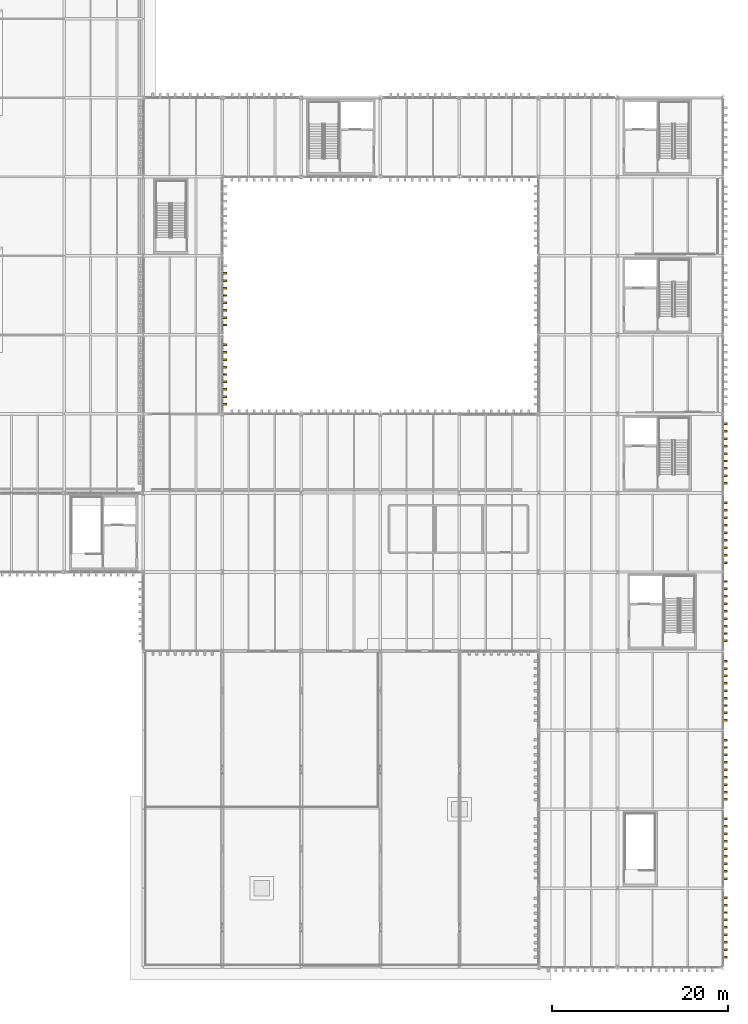
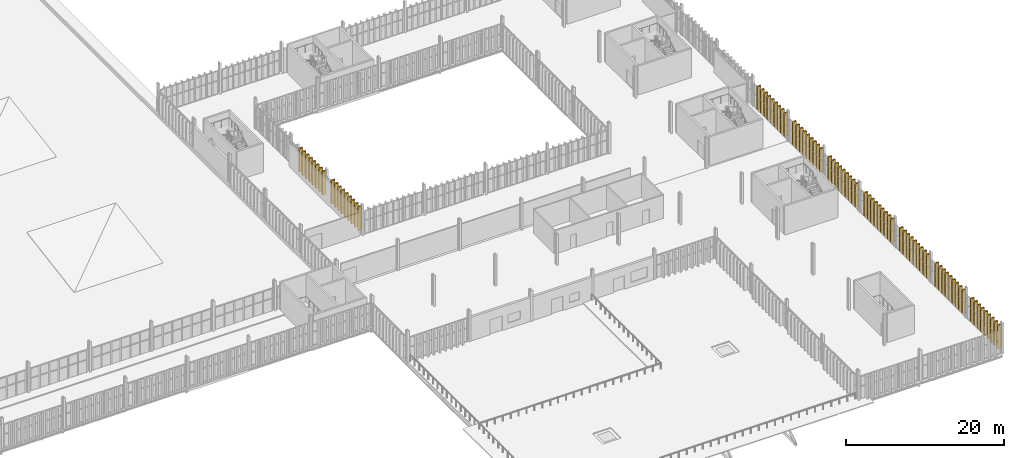
# One storey, part 191 of 196: 80 shading devices.
"""IFC4 building model written with IfcOpenShell, lengths in metres."""

from ifc_helpers import new_model, si_unit, direction, frame, origin, origin_2d, place, context, subcontext, project, spatial, rectangle, extrude, material, type_object, element, save


model = new_model("IFC4")

# Units and contexts
model_context = context("Model", 3, precision=1e-05, world=origin(), true_north=direction((0.0, 1.0)))
body_context = subcontext(model_context, "Body", "Model", "MODEL_VIEW")
ifc_project = project(units=[si_unit("LENGTHUNIT", "METRE"), si_unit("AREAUNIT", "SQUARE_METRE"), si_unit("VOLUMEUNIT", "CUBIC_METRE"), si_unit("PLANEANGLEUNIT", "RADIAN"), si_unit("MASSUNIT", "GRAM", prefix="KILO")], contexts=[model_context])

# Site, building, storey
site_placement = place(None, origin())
site = spatial("IfcSite", under=ifc_project, at=site_placement, CompositionType="ELEMENT")
building_placement = place(site_placement, origin())
building = spatial("IfcBuilding", under=site, at=building_placement, Name="Barlavento Convention Centre", CompositionType="ELEMENT")
storey_placement = place(building_placement, frame((0.0, 0.0, 18.0)))
storey = spatial("IfcBuildingStorey", under=building, at=storey_placement, Name="L03", CompositionType="ELEMENT", Elevation=18.0)

# Shading devices
ifc_material = material(Name="PVDF white extruded aluminium", Category="aluminium")
shading_device_type = type_object("IfcShadingDeviceType", Name="ARC-SHD-FIN-480", PredefinedType="USERDEFINED", material=ifc_material)
for number, where, z_axis, x_axis, name in (
    (1, (192.239990234375, 1.156005859375, 0.0), (0.0, 0.0, 1.0), (0.0, 1.0, 0.0), "White vertical solar shading fin VF01"),
    (2, (192.239990234375, 2.001953125, 0.0), (0.0, 0.0, 1.0), (0.0, 1.0, 0.0), "White vertical solar shading fin VF01"),
    (3, (192.239990234375, 2.847900390625, 0.0), (0.0, 0.0, 1.0), (0.0, 1.0, 0.0), "White vertical solar shading fin VF01"),
    (4, (192.239990234375, 3.694091796875, 0.0), (0.0, 0.0, 1.0), (0.0, 1.0, 0.0), "White vertical solar shading fin VF01"),
    (5, (192.239990234375, 4.5400390625, 0.0), (0.0, 0.0, 1.0), (0.0, 1.0, 0.0), "White vertical solar shading fin VF01"),
    (6, (192.239990234375, 5.385986328125, 0.0), (0.0, 0.0, 1.0), (0.0, 1.0, 0.0), "White vertical solar shading fin VF01"),
    (7, (192.239990234375, 6.23193359375, 0.0), (0.0, 0.0, 1.0), (0.0, 1.0, 0.0), "White vertical solar shading fin VF01"),
    (8, (192.239990234375, 7.077880859375, 0.0), (0.0, 0.0, 1.0), (0.0, 1.0, 0.0), "White vertical solar shading fin VF01"),
    (9, (192.239990234375, 7.924072265625, 0.0), (0.0, 0.0, 1.0), (0.0, 1.0, 0.0), "White vertical solar shading fin VF01"),
    (10, (192.239990234375, 10.0810546875, 0.0), (0.0, 0.0, 1.0), (0.0, 1.0, 0.0), "White vertical solar shading fin VF01"),
    (11, (192.239990234375, 10.931884765625, 0.0), (0.0, 0.0, 1.0), (0.0, 1.0, 0.0), "White vertical solar shading fin VF01"),
    (12, (192.239990234375, 11.782958984375, 0.0), (0.0, 0.0, 1.0), (0.0, 1.0, 0.0), "White vertical solar shading fin VF01"),
    (13, (192.239990234375, 12.634033203125, 0.0), (0.0, 0.0, 1.0), (0.0, 1.0, 0.0), "White vertical solar shading fin VF01"),
    (14, (192.239990234375, 13.485107421875, 0.0), (0.0, 0.0, 1.0), (0.0, 1.0, 0.0), "White vertical solar shading fin VF01"),
    (15, (192.239990234375, 14.3359375, 0.0), (0.0, 0.0, 1.0), (0.0, 1.0, 0.0), "White vertical solar shading fin VF01"),
    (16, (192.239990234375, 15.18701171875, 0.0), (0.0, 0.0, 1.0), (0.0, 1.0, 0.0), "White vertical solar shading fin VF01"),
    (17, (192.239990234375, 16.0380859375, 0.0), (0.0, 0.0, 1.0), (0.0, 1.0, 0.0), "White vertical solar shading fin VF01"),
    (18, (192.239990234375, 16.888916015625, 0.0), (0.0, 0.0, 1.0), (0.0, 1.0, 0.0), "White vertical solar shading fin VF01"),
    (19, (192.239990234375, 19.10546875, 0.0), (0.0, 0.0, 1.0), (0.0, 1.0, 0.0), "White vertical solar shading fin VF01"),
    (20, (192.239990234375, 19.950927734375, 0.0), (0.0, 0.0, 1.0), (0.0, 1.0, 0.0), "White vertical solar shading fin VF01"),
    (21, (192.239990234375, 20.79638671875, 0.0), (0.0, 0.0, 1.0), (0.0, 1.0, 0.0), "White vertical solar shading fin VF01"),
    (22, (192.239990234375, 21.64208984375, 0.0), (0.0, 0.0, 1.0), (0.0, 1.0, 0.0), "White vertical solar shading fin VF01"),
    (23, (192.239990234375, 22.487548828125, 0.0), (0.0, 0.0, 1.0), (0.0, 1.0, 0.0), "White vertical solar shading fin VF01"),
    (24, (192.239990234375, 23.3330078125, 0.0), (0.0, 0.0, 1.0), (0.0, 1.0, 0.0), "White vertical solar shading fin VF01"),
    (25, (192.239990234375, 24.178466796875, 0.0), (0.0, 0.0, 1.0), (0.0, 1.0, 0.0), "White vertical solar shading fin VF01"),
    (26, (192.239990234375, 25.02392578125, 0.0), (0.0, 0.0, 1.0), (0.0, 1.0, 0.0), "White vertical solar shading fin VF01"),
    (27, (192.239990234375, 25.869384765625, 0.0), (0.0, 0.0, 1.0), (0.0, 1.0, 0.0), "White vertical solar shading fin VF01"),
    (28, (192.239990234375, 28.12548828125, 0.0), (0.0, 0.0, 1.0), (0.0, 1.0, 0.0), "White vertical solar shading fin VF01"),
    (29, (192.239990234375, 28.966064453125, 0.0), (0.0, 0.0, 1.0), (0.0, 1.0, 0.0), "White vertical solar shading fin VF01"),
    (30, (192.239990234375, 29.806396484375, 0.0), (0.0, 0.0, 1.0), (0.0, 1.0, 0.0), "White vertical solar shading fin VF01"),
    (31, (192.239990234375, 30.64697265625, 0.0), (0.0, 0.0, 1.0), (0.0, 1.0, 0.0), "White vertical solar shading fin VF01"),
    (32, (192.239990234375, 31.487548828125, 0.0), (0.0, 0.0, 1.0), (0.0, 1.0, 0.0), "White vertical solar shading fin VF01"),
    (33, (192.239990234375, 32.327880859375, 0.0), (0.0, 0.0, 1.0), (0.0, 1.0, 0.0), "White vertical solar shading fin VF01"),
    (34, (192.239990234375, 33.16845703125, 0.0), (0.0, 0.0, 1.0), (0.0, 1.0, 0.0), "White vertical solar shading fin VF01"),
    (35, (192.239990234375, 34.009033203125, 0.0), (0.0, 0.0, 1.0), (0.0, 1.0, 0.0), "White vertical solar shading fin VF01"),
    (36, (192.239990234375, 34.849609375, 0.0), (0.0, 0.0, 1.0), (0.0, 1.0, 0.0), "White vertical solar shading fin VF01"),
    (37, (192.239990234375, 37.156005859375, 0.0), (0.0, 0.0, 1.0), (0.0, 1.0, 0.0), "White vertical solar shading fin VF01"),
    (38, (192.239990234375, 38.001953125, 0.0), (0.0, 0.0, 1.0), (0.0, 1.0, 0.0), "White vertical solar shading fin VF01"),
    (39, (192.239990234375, 38.847900390625, 0.0), (0.0, 0.0, 1.0), (0.0, 1.0, 0.0), "White vertical solar shading fin VF01"),
    (40, (192.239990234375, 39.694091796875, 0.0), (0.0, 0.0, 1.0), (0.0, 1.0, 0.0), "White vertical solar shading fin VF01"),
    (41, (192.239990234375, 40.5400390625, 0.0), (0.0, 0.0, 1.0), (0.0, 1.0, 0.0), "White vertical solar shading fin VF01"),
    (42, (192.239990234375, 41.385986328125, 0.0), (0.0, 0.0, 1.0), (0.0, 1.0, 0.0), "White vertical solar shading fin VF01"),
    (43, (192.239990234375, 42.23193359375, 0.0), (0.0, 0.0, 1.0), (0.0, 1.0, 0.0), "White vertical solar shading fin VF01"),
    (44, (192.239990234375, 43.077880859375, 0.0), (0.0, 0.0, 1.0), (0.0, 1.0, 0.0), "White vertical solar shading fin VF01"),
    (45, (192.239990234375, 43.924072265625, 0.0), (0.0, 0.0, 1.0), (0.0, 1.0, 0.0), "White vertical solar shading fin VF01"),
    (46, (192.239990234375, 46.0810546875, 0.0), (0.0, 0.0, 1.0), (0.0, 1.0, 0.0), "White vertical solar shading fin VF01"),
    (47, (192.239990234375, 46.931884765625, 0.0), (0.0, 0.0, 1.0), (0.0, 1.0, 0.0), "White vertical solar shading fin VF01"),
    (48, (192.239990234375, 47.782958984375, 0.0), (0.0, 0.0, 1.0), (0.0, 1.0, 0.0), "White vertical solar shading fin VF01"),
    (49, (192.239990234375, 48.634033203125, 0.0), (0.0, 0.0, 1.0), (0.0, 1.0, 0.0), "White vertical solar shading fin VF01"),
    (50, (192.239990234375, 49.485107421875, 0.0), (0.0, 0.0, 1.0), (0.0, 1.0, 0.0), "White vertical solar shading fin VF01"),
    (51, (192.239990234375, 50.3359375, 0.0), (0.0, 0.0, 1.0), (0.0, 1.0, 0.0), "White vertical solar shading fin VF01"),
    (52, (192.239990234375, 51.18701171875, 0.0), (0.0, 0.0, 1.0), (0.0, 1.0, 0.0), "White vertical solar shading fin VF01"),
    (53, (192.239990234375, 52.0380859375, 0.0), (0.0, 0.0, 1.0), (0.0, 1.0, 0.0), "White vertical solar shading fin VF01"),
    (54, (192.239990234375, 52.888916015625, 0.0), (0.0, 0.0, 1.0), (0.0, 1.0, 0.0), "White vertical solar shading fin VF01"),
    (55, (192.239990234375, 55.10546875, 0.0), (0.0, 0.0, 1.0), (0.0, 1.0, 0.0), "White vertical solar shading fin VF01"),
    (56, (192.239990234375, 55.950927734375, 0.0), (0.0, 0.0, 1.0), (0.0, 1.0, 0.0), "White vertical solar shading fin VF01"),
    (57, (192.239990234375, 56.79638671875, 0.0), (0.0, 0.0, 1.0), (0.0, 1.0, 0.0), "White vertical solar shading fin VF01"),
    (58, (192.239990234375, 57.64208984375, 0.0), (0.0, 0.0, 1.0), (0.0, 1.0, 0.0), "White vertical solar shading fin VF01"),
    (59, (192.239990234375, 58.487548828125, 0.0), (0.0, 0.0, 1.0), (0.0, 1.0, 0.0), "White vertical solar shading fin VF01"),
    (60, (192.239990234375, 59.3330078125, 0.0), (0.0, 0.0, 1.0), (0.0, 1.0, 0.0), "White vertical solar shading fin VF01"),
    (61, (192.239990234375, 60.178466796875, 0.0), (0.0, 0.0, 1.0), (0.0, 1.0, 0.0), "White vertical solar shading fin VF01"),
    (62, (192.239990234375, 61.02392578125, 0.0), (0.0, 0.0, 1.0), (0.0, 1.0, 0.0), "White vertical solar shading fin VF01"),
    (63, (192.239990234375, 61.869384765625, 0.0), (0.0, 0.0, 1.0), (0.0, 1.0, 0.0), "White vertical solar shading fin VF01"),
    (64, (135.239990234375, 64.10546875, 0.0), (0.0, 0.0, 1.0), (0.0, 1.0, 0.0), "White vertical solar shading fin VF01"),
    (65, (135.239990234375, 64.950927734375, 0.0), (0.0, 0.0, 1.0), (0.0, 1.0, 0.0), "White vertical solar shading fin VF01"),
    (66, (135.239990234375, 65.79638671875, 0.0), (0.0, 0.0, 1.0), (0.0, 1.0, 0.0), "White vertical solar shading fin VF01"),
    (67, (135.239990234375, 66.64208984375, 0.0), (0.0, 0.0, 1.0), (0.0, 1.0, 0.0), "White vertical solar shading fin VF01"),
    (68, (135.239990234375, 67.487548828125, 0.0), (0.0, 0.0, 1.0), (0.0, 1.0, 0.0), "White vertical solar shading fin VF01"),
    (69, (135.239990234375, 68.3330078125, 0.0), (0.0, 0.0, 1.0), (0.0, 1.0, 0.0), "White vertical solar shading fin VF01"),
    (70, (135.239990234375, 69.178466796875, 0.0), (0.0, 0.0, 1.0), (0.0, 1.0, 0.0), "White vertical solar shading fin VF01"),
    (71, (135.239990234375, 70.02392578125, 0.0), (0.0, 0.0, 1.0), (0.0, 1.0, 0.0), "White vertical solar shading fin VF01"),
    (72, (135.239990234375, 70.869384765625, 0.0), (0.0, 0.0, 1.0), (0.0, 1.0, 0.0), "White vertical solar shading fin VF01"),
    (73, (135.239990234375, 73.12548828125, 0.0), (0.0, 0.0, 1.0), (0.0, 1.0, 0.0), "White vertical solar shading fin VF01"),
    (74, (135.239990234375, 73.966064453125, 0.0), (0.0, 0.0, 1.0), (0.0, 1.0, 0.0), "White vertical solar shading fin VF01"),
    (75, (135.239990234375, 74.806396484375, 0.0), (0.0, 0.0, 1.0), (0.0, 1.0, 0.0), "White vertical solar shading fin VF01"),
    (76, (135.239990234375, 75.64697265625, 0.0), (0.0, 0.0, 1.0), (0.0, 1.0, 0.0), "White vertical solar shading fin VF01"),
    (77, (135.239990234375, 76.487548828125, 0.0), (0.0, 0.0, 1.0), (0.0, 1.0, 0.0), "White vertical solar shading fin VF01"),
    (78, (135.239990234375, 77.327880859375, 0.0), (0.0, 0.0, 1.0), (0.0, 1.0, 0.0), "White vertical solar shading fin VF01"),
    (79, (135.239990234375, 78.16845703125, 0.0), (0.0, 0.0, 1.0), (0.0, 1.0, 0.0), "White vertical solar shading fin VF01"),
    (80, (135.239990234375, 79.009033203125, 0.0), (0.0, 0.0, 1.0), (0.0, 1.0, 0.0), "White vertical solar shading fin VF01"),
):
    element("IfcShadingDevice", number, at=place(storey_placement, frame(where, z_axis=z_axis, x_axis=x_axis)), inside=storey, type_object=shading_device_type, Name=name, ObjectType="FIN", PredefinedType="USERDEFINED", context=body_context, shape_type="SweptSolid", body=[
        extrude(rectangle(XDim=0.219970703125, YDim=0.52001953125, at=origin_2d()), origin(), (0.0, 0.0, 1.0), 3.64990234375),
    ])

save(model, "model.ifc")
